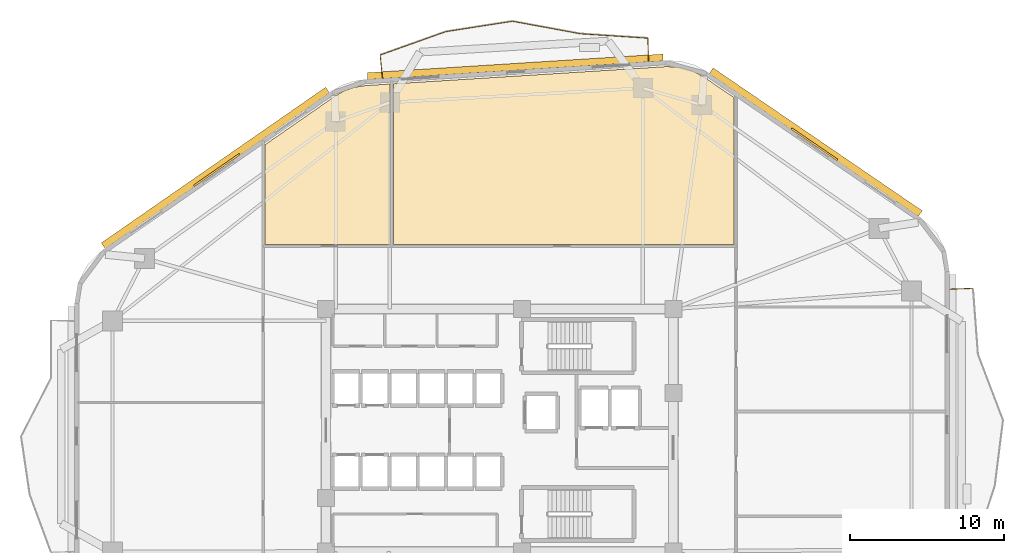
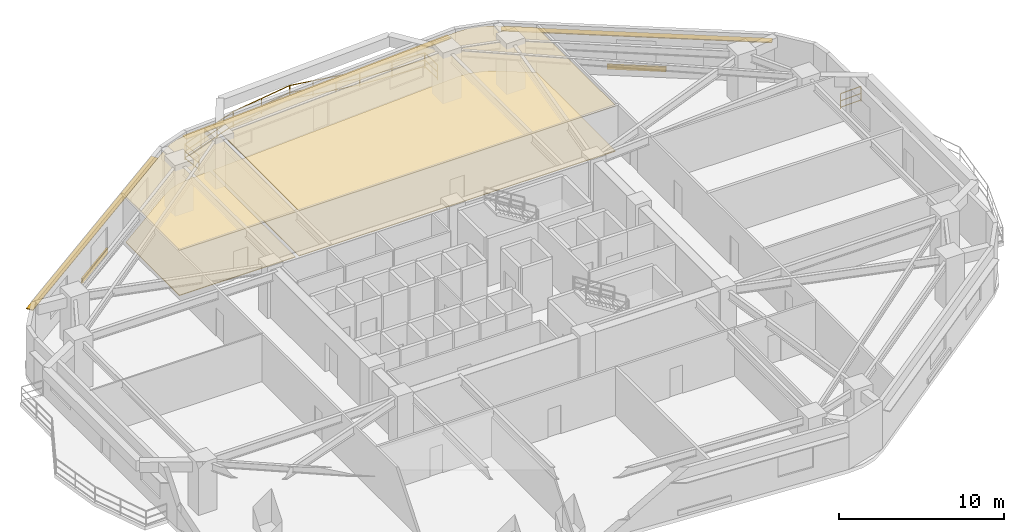
# One storey, part 9 of 9: 7 railings, 5 shading devices, 4 coverings.
"""IFC4 building model written with IfcOpenShell, lengths in metres."""

from ifc_helpers import new_model, si_unit, direction, frame, origin, origin_2d, place, context, subcontext, project, spatial, polyline, rectangle, outline, extrude, material, layer, layer_set, type_object, element, save


model = new_model("IFC4")

# Units and contexts
model_context = context("Model", 3, precision=1e-05, world=origin(), true_north=direction((0.0, 1.0)))
body_context = subcontext(model_context, "Body", "Model", "MODEL_VIEW")
ifc_project = project(units=[si_unit("LENGTHUNIT", "METRE"), si_unit("AREAUNIT", "SQUARE_METRE"), si_unit("VOLUMEUNIT", "CUBIC_METRE"), si_unit("PLANEANGLEUNIT", "RADIAN"), si_unit("MASSUNIT", "GRAM", prefix="KILO")], contexts=[model_context])

# Site, building, storey
site_placement = place(None, origin())
site = spatial("IfcSite", under=ifc_project, at=site_placement, CompositionType="ELEMENT")
building_placement = place(site_placement, origin())
building = spatial("IfcBuilding", under=site, at=building_placement, Name="Zulverin Broadcast Headquarters", CompositionType="ELEMENT")
storey_placement = place(building_placement, frame((0.0, 0.0, 63.0)))
storey = spatial("IfcBuildingStorey", under=building, at=storey_placement, Name="L15", CompositionType="ELEMENT", Elevation=63.0)

# Coverings
ifc_material_1 = material(Name="Perforated pale-metal acoustic baffle ceiling", Category="aluminium")
ifc_layer_1 = layer(ifc_material_1, 0.0400390625, Name="Perforated pale-metal acoustic baffle ceiling", Category="aluminium")
ifc_layer_set_1 = layer_set([ifc_layer_1], Name="Perforated pale-metal acoustic baffle ceiling")
covering_type_1 = type_object("IfcCoveringType", Name="COV-CEIL-ACOU", PredefinedType="CEILING", material=ifc_layer_set_1)
covering_1_placement = place(storey_placement, frame((0.0, 0.0, 3.344970703125)))
element("IfcCovering", 1, at=covering_1_placement, inside=storey, type_object=covering_type_1, Name="L15 Acoustic Baffle Ceiling 01", PredefinedType="CEILING", context=body_context, shape_type="SweptSolid", body=[
    extrude(outline(polyline([(29.8798828125, 37.27197265625), (29.8798828125, 47.676025390625), (28.27587890625, 47.575927734375), (27.575927734375, 47.468017578125), (26.927978515625, 47.243896484375), (26.31591796875, 46.89599609375), (21.77197265625, 43.739990234375), (21.77197265625, 37.27197265625), (29.8798828125, 37.27197265625)])), origin(), (0.0, 0.0, 1.0), 0.0400390625),
])
covering_2_placement = place(storey_placement, frame((0.0, 0.0, 3.344970703125)))
element("IfcCovering", 2, at=covering_2_placement, inside=storey, type_object=covering_type_1, Name="L15 Acoustic Baffle Ceiling 02", PredefinedType="CEILING", context=body_context, shape_type="SweptSolid", body=[
    extrude(outline(polyline([(52.23193359375, 37.27197265625), (52.23193359375, 46.7880859375), (50.248046875, 48.139892578125), (49.491943359375, 48.548095703125), (48.68408203125, 48.76806640625), (47.823974609375, 48.80810546875), (30.1201171875, 47.69189453125), (30.1201171875, 37.27197265625), (52.23193359375, 37.27197265625)])), origin(), (0.0, 0.0, 1.0), 0.0400390625),
])
ifc_material_2 = material(Name="Anti-static broadcast raised access flooring", Category="stone")
ifc_layer_2 = layer(ifc_material_2, 0.050048828125, Name="Anti-static broadcast raised access flooring", Category="stone")
ifc_layer_set_2 = layer_set([ifc_layer_2], Name="Anti-static broadcast raised access flooring")
covering_type_2 = type_object("IfcCoveringType", Name="COV-FLR-RAISED", PredefinedType="FLOORING", material=ifc_layer_set_2)
covering_3_placement = place(storey_placement, origin())
element("IfcCovering", 3, at=covering_3_placement, inside=storey, type_object=covering_type_2, Name="L15 Broadcast Raised Access Flooring 01", PredefinedType="FLOORING", context=body_context, shape_type="SweptSolid", body=[
    extrude(outline(polyline([(29.8798828125, 37.27197265625), (29.8798828125, 47.676025390625), (28.27587890625, 47.575927734375), (27.575927734375, 47.468017578125), (26.927978515625, 47.243896484375), (26.31591796875, 46.89599609375), (21.77197265625, 43.739990234375), (21.77197265625, 37.27197265625), (29.8798828125, 37.27197265625)])), origin(), (0.0, 0.0, 1.0), 0.050048828125),
])
covering_4_placement = place(storey_placement, origin())
element("IfcCovering", 4, at=covering_4_placement, inside=storey, type_object=covering_type_2, Name="L15 Broadcast Raised Access Flooring 02", PredefinedType="FLOORING", context=body_context, shape_type="SweptSolid", body=[
    extrude(outline(polyline([(52.23193359375, 37.27197265625), (52.23193359375, 46.7880859375), (50.248046875, 48.139892578125), (49.491943359375, 48.548095703125), (48.68408203125, 48.76806640625), (47.823974609375, 48.80810546875), (30.1201171875, 47.69189453125), (30.1201171875, 37.27197265625), (52.23193359375, 37.27197265625)])), origin(), (0.0, 0.0, 1.0), 0.050048828125),
])

# Railings
ifc_material_3 = material(Name="Brushed stainless steel & laminated glass balustrade", Category="steel")
railing_type = type_object("IfcRailingType", Name="RL-GUARD-1150", PredefinedType="GUARDRAIL", material=ifc_material_3)
railing_1_placement = place(storey_placement, frame((67.705078125, 34.413818359375, 0.0)))
element("IfcRailing", 5, at=railing_1_placement, inside=storey, type_object=railing_type, Name="L15 Vertical-Forest Balcony Guardrail BAL_E Segment 06", PredefinedType="GUARDRAIL", context=body_context, shape_type="SweptSolid", body=[
    extrude(rectangle(XDim=0.048095703125, YDim=0.048095703125, at=origin_2d()), frame((0.0, 0.0, 1.1259765625), z_axis=(-0.999181155166, -0.040460093435, 0.0), x_axis=(0.040460093435, -0.999181155166, 0.0)), (0.0, 0.0, 1.0), 1.46630859375),
    extrude(rectangle(XDim=0.0419921875, YDim=0.0419921875, at=origin_2d()), frame((0.0, 0.0, 0.597900390625), z_axis=(-0.999181155166, -0.040460093435, 0.0), x_axis=(0.040460093435, -0.999181155166, 0.0)), (0.0, 0.0, 1.0), 1.46630859375),
    extrude(rectangle(XDim=0.0419921875, YDim=0.0419921875, at=origin_2d()), frame((0.0, 0.0, 0.1201171875), z_axis=(-0.999181155166, -0.040460093435, 0.0), x_axis=(0.040460093435, -0.999181155166, 0.0)), (0.0, 0.0, 1.0), 1.46630859375),
    extrude(rectangle(XDim=0.0419921875, YDim=0.0419921875, at=origin_2d()), origin(), (0.0, 0.0, 1.0), 1.101806640625),
    extrude(rectangle(XDim=0.0419921875, YDim=0.0419921875, at=origin_2d()), frame((-1.465087890625, -0.059326171875, 0.0)), (0.0, 0.0, 1.0), 1.101806640625),
])
railing_2_placement = place(storey_placement, frame((46.662841796875, 49.176025390625, 0.0)))
element("IfcRailing", 6, at=railing_2_placement, inside=storey, type_object=railing_type, Name="L15 Vertical-Forest Balcony Guardrail BAL_N Segment 01", PredefinedType="GUARDRAIL", context=body_context, shape_type="SweptSolid", body=[
    extrude(rectangle(XDim=0.048095703125, YDim=0.048095703125, at=origin_2d()), frame((0.0, 0.0, 1.1259765625), z_axis=(-0.022479328211, 0.999747307975, 0.0), x_axis=(-0.999747307975, -0.022479328211, 0.0)), (0.0, 0.0, 1.0), 1.46630859375),
    extrude(rectangle(XDim=0.0419921875, YDim=0.0419921875, at=origin_2d()), frame((0.0, 0.0, 0.597900390625), z_axis=(-0.022479328211, 0.999747307975, 0.0), x_axis=(-0.999747307975, -0.022479328211, 0.0)), (0.0, 0.0, 1.0), 1.46630859375),
    extrude(rectangle(XDim=0.0419921875, YDim=0.0419921875, at=origin_2d()), frame((0.0, 0.0, 0.1201171875), z_axis=(-0.022479328211, 0.999747307975, 0.0), x_axis=(-0.999747307975, -0.022479328211, 0.0)), (0.0, 0.0, 1.0), 1.46630859375),
    extrude(rectangle(XDim=0.0419921875, YDim=0.0419921875, at=origin_2d()), origin(), (0.0, 0.0, 1.0), 1.101806640625),
    extrude(rectangle(XDim=0.0419921875, YDim=0.0419921875, at=origin_2d()), frame((-0.032958984375, 1.4658203125, 0.0)), (0.0, 0.0, 1.0), 1.101806640625),
])
railing_3_placement = place(storey_placement, frame((46.614501953125, 50.657958984375, 0.0)))
element("IfcRailing", 7, at=railing_3_placement, inside=storey, type_object=railing_type, Name="L15 Vertical-Forest Balcony Guardrail BAL_N Segment 02", PredefinedType="GUARDRAIL", context=body_context, shape_type="SweptSolid", body=[
    extrude(rectangle(XDim=0.048095703125, YDim=0.048095703125, at=origin_2d()), frame((0.0, 0.0, 1.1259765625), z_axis=(-0.997884053824, 0.065018575224, 0.0), x_axis=(-0.065018575224, -0.997884053824, 0.0)), (0.0, 0.0, 1.0), 4.36328125),
    extrude(rectangle(XDim=0.0419921875, YDim=0.0419921875, at=origin_2d()), frame((0.0, 0.0, 0.597900390625), z_axis=(-0.997884053824, 0.065018575224, 0.0), x_axis=(-0.065018575224, -0.997884053824, 0.0)), (0.0, 0.0, 1.0), 4.36328125),
    extrude(rectangle(XDim=0.0419921875, YDim=0.0419921875, at=origin_2d()), frame((0.0, 0.0, 0.1201171875), z_axis=(-0.997884053824, 0.065018575224, 0.0), x_axis=(-0.065018575224, -0.997884053824, 0.0)), (0.0, 0.0, 1.0), 4.36328125),
    extrude(rectangle(XDim=0.0419921875, YDim=0.0419921875, at=origin_2d()), origin(), (0.0, 0.0, 1.0), 1.101806640625),
    extrude(rectangle(XDim=0.0419921875, YDim=0.0419921875, at=origin_2d()), frame((-2.177001953125, 0.141845703125, 0.0)), (0.0, 0.0, 1.0), 1.101806640625),
    extrude(rectangle(XDim=0.0419921875, YDim=0.0419921875, at=origin_2d()), frame((-4.35400390625, 0.28369140625, 0.0)), (0.0, 0.0, 1.0), 1.101806640625),
])
railing_4_placement = place(storey_placement, frame((42.230712890625, 50.9453125, 0.0)))
element("IfcRailing", 8, at=railing_4_placement, inside=storey, type_object=railing_type, Name="L15 Vertical-Forest Balcony Guardrail BAL_N Segment 03", PredefinedType="GUARDRAIL", context=body_context, shape_type="SweptSolid", body=[
    extrude(rectangle(XDim=0.048095703125, YDim=0.048095703125, at=origin_2d()), frame((0.0, 0.0, 1.1259765625), z_axis=(-0.983498315352, 0.180917284139, 0.0), x_axis=(-0.180917284139, -0.983498315352, 0.0)), (0.0, 0.0, 1.0), 4.46142578125),
    extrude(rectangle(XDim=0.0419921875, YDim=0.0419921875, at=origin_2d()), frame((0.0, 0.0, 0.597900390625), z_axis=(-0.983498315352, 0.180917284139, 0.0), x_axis=(-0.180917284139, -0.983498315352, 0.0)), (0.0, 0.0, 1.0), 4.46142578125),
    extrude(rectangle(XDim=0.0419921875, YDim=0.0419921875, at=origin_2d()), frame((0.0, 0.0, 0.1201171875), z_axis=(-0.983498315352, 0.180917284139, 0.0), x_axis=(-0.180917284139, -0.983498315352, 0.0)), (0.0, 0.0, 1.0), 4.46142578125),
    extrude(rectangle(XDim=0.0419921875, YDim=0.0419921875, at=origin_2d()), origin(), (0.0, 0.0, 1.0), 1.101806640625),
    extrude(rectangle(XDim=0.0419921875, YDim=0.0419921875, at=origin_2d()), frame((-1.462646484375, 0.26904296875, 0.0)), (0.0, 0.0, 1.0), 1.101806640625),
    extrude(rectangle(XDim=0.0419921875, YDim=0.0419921875, at=origin_2d()), frame((-2.925048828125, 0.5380859375, 0.0)), (0.0, 0.0, 1.0), 1.101806640625),
    extrude(rectangle(XDim=0.0419921875, YDim=0.0419921875, at=origin_2d()), frame((-4.3876953125, 0.80712890625, 0.0)), (0.0, 0.0, 1.0), 1.101806640625),
])
railing_5_placement = place(storey_placement, frame((37.8134765625, 51.7529296875, 0.0)))
element("IfcRailing", 9, at=railing_5_placement, inside=storey, type_object=railing_type, Name="L15 Vertical-Forest Balcony Guardrail BAL_N Segment 04", PredefinedType="GUARDRAIL", context=body_context, shape_type="SweptSolid", body=[
    extrude(rectangle(XDim=0.048095703125, YDim=0.048095703125, at=origin_2d()), frame((0.0, 0.0, 1.1259765625), z_axis=(-0.988057241682, -0.154087271245, 0.0), x_axis=(0.154087271245, -0.988057241682, 0.0)), (0.0, 0.0, 1.0), 4.34619140625),
    extrude(rectangle(XDim=0.0419921875, YDim=0.0419921875, at=origin_2d()), frame((0.0, 0.0, 0.597900390625), z_axis=(-0.988057241682, -0.154087271245, 0.0), x_axis=(0.154087271245, -0.988057241682, 0.0)), (0.0, 0.0, 1.0), 4.34619140625),
    extrude(rectangle(XDim=0.0419921875, YDim=0.0419921875, at=origin_2d()), frame((0.0, 0.0, 0.1201171875), z_axis=(-0.988057241682, -0.154087271245, 0.0), x_axis=(0.154087271245, -0.988057241682, 0.0)), (0.0, 0.0, 1.0), 4.34619140625),
    extrude(rectangle(XDim=0.0419921875, YDim=0.0419921875, at=origin_2d()), origin(), (0.0, 0.0, 1.0), 1.101806640625),
    extrude(rectangle(XDim=0.0419921875, YDim=0.0419921875, at=origin_2d()), frame((-2.14697265625, -0.3349609375, 0.0)), (0.0, 0.0, 1.0), 1.101806640625),
    extrude(rectangle(XDim=0.0419921875, YDim=0.0419921875, at=origin_2d()), frame((-4.294189453125, -0.669677734375, 0.0)), (0.0, 0.0, 1.0), 1.101806640625),
])
railing_6_placement = place(storey_placement, frame((33.490478515625, 51.075927734375, 0.0)))
element("IfcRailing", 10, at=railing_6_placement, inside=storey, type_object=railing_type, Name="L15 Vertical-Forest Balcony Guardrail BAL_N Segment 05", PredefinedType="GUARDRAIL", context=body_context, shape_type="SweptSolid", body=[
    extrude(rectangle(XDim=0.048095703125, YDim=0.048095703125, at=origin_2d()), frame((0.0, 0.0, 1.1259765625), z_axis=(-0.942022481817, -0.335549763451, 0.0), x_axis=(0.335549763451, -0.942022481817, 0.0)), (0.0, 0.0, 1.0), 4.5029296875),
    extrude(rectangle(XDim=0.0419921875, YDim=0.0419921875, at=origin_2d()), frame((0.0, 0.0, 0.597900390625), z_axis=(-0.942022481817, -0.335549763451, 0.0), x_axis=(0.335549763451, -0.942022481817, 0.0)), (0.0, 0.0, 1.0), 4.5029296875),
    extrude(rectangle(XDim=0.0419921875, YDim=0.0419921875, at=origin_2d()), frame((0.0, 0.0, 0.1201171875), z_axis=(-0.942022481817, -0.335549763451, 0.0), x_axis=(0.335549763451, -0.942022481817, 0.0)), (0.0, 0.0, 1.0), 4.5029296875),
    extrude(rectangle(XDim=0.0419921875, YDim=0.0419921875, at=origin_2d()), origin(), (0.0, 0.0, 1.0), 1.101806640625),
    extrude(rectangle(XDim=0.0419921875, YDim=0.0419921875, at=origin_2d()), frame((-1.4140625, -0.503662109375, 0.0)), (0.0, 0.0, 1.0), 1.101806640625),
    extrude(rectangle(XDim=0.0419921875, YDim=0.0419921875, at=origin_2d()), frame((-2.827880859375, -1.00732421875, 0.0)), (0.0, 0.0, 1.0), 1.101806640625),
    extrude(rectangle(XDim=0.0419921875, YDim=0.0419921875, at=origin_2d()), frame((-4.241943359375, -1.510986328125, 0.0)), (0.0, 0.0, 1.0), 1.101806640625),
])
railing_7_placement = place(storey_placement, frame((29.236083984375, 49.545166015625, 0.0)))
element("IfcRailing", 11, at=railing_7_placement, inside=storey, type_object=railing_type, Name="L15 Vertical-Forest Balcony Guardrail BAL_N Segment 06", PredefinedType="GUARDRAIL", context=body_context, shape_type="SweptSolid", body=[
    extrude(rectangle(XDim=0.048095703125, YDim=0.048095703125, at=origin_2d()), frame((0.0, 0.0, 1.1259765625), z_axis=(0.103393334431, -0.994640547331, 0.0), x_axis=(0.994640547331, 0.103393334431, 0.0)), (0.0, 0.0, 1.0), 1.46630859375),
    extrude(rectangle(XDim=0.0419921875, YDim=0.0419921875, at=origin_2d()), frame((0.0, 0.0, 0.597900390625), z_axis=(0.103393334431, -0.994640547331, 0.0), x_axis=(0.994640547331, 0.103393334431, 0.0)), (0.0, 0.0, 1.0), 1.46630859375),
    extrude(rectangle(XDim=0.0419921875, YDim=0.0419921875, at=origin_2d()), frame((0.0, 0.0, 0.1201171875), z_axis=(0.103393334431, -0.994640547331, 0.0), x_axis=(0.994640547331, 0.103393334431, 0.0)), (0.0, 0.0, 1.0), 1.46630859375),
    extrude(rectangle(XDim=0.0419921875, YDim=0.0419921875, at=origin_2d()), origin(), (0.0, 0.0, 1.0), 1.101806640625),
    extrude(rectangle(XDim=0.0419921875, YDim=0.0419921875, at=origin_2d()), frame((0.151611328125, -1.45849609375, 0.0)), (0.0, 0.0, 1.0), 1.101806640625),
])

# Shading devices
ifc_material_4 = material(Name="Anodized pale-metal aluminium acoustic louvre", Category="aluminium")
shading_device_type_1 = type_object("IfcShadingDeviceType", Name="SHD-LOUVRE-350", PredefinedType="USERDEFINED", material=ifc_material_4)
for number, where, z_axis, x_axis, name in (
    (12, (57.435302734375, 43.76708984375, 0.244873046875), (0.0, 0.0, 1.0), (-0.825756855157, 0.564026254851, 0.0), "L15 Spandrel Intake Louvre 4"),
    (13, (18.631103515625, 42.0966796875, 0.244873046875), (0.0, 0.0, 1.0), (-0.821556397865, -0.57012725345, 0.0), "L15 Spandrel Intake Louvre 6"),
):
    element("IfcShadingDevice", number, at=place(storey_placement, frame(where, z_axis=z_axis, x_axis=x_axis)), inside=storey, type_object=shading_device_type_1, Name=name, ObjectType="LOUVRE", PredefinedType="USERDEFINED", context=body_context, shape_type="SweptSolid", body=[
        extrude(rectangle(XDim=3.60009765625, YDim=0.1201171875, at=origin_2d()), origin(), (0.0, 0.0, 1.0), 0.35009765625),
    ])
ifc_material_5 = material(Name="Anodized pale-metal aluminium sunshade", Category="aluminium")
ifc_layer_3 = layer(ifc_material_5, 0.06005859375, Name="Anodized pale-metal aluminium sunshade", Category="aluminium")
ifc_layer_set_3 = layer_set([ifc_layer_3], Name="Anodized pale-metal aluminium sunshade")
shading_device_type_2 = type_object("IfcShadingDeviceType", Name="SS-01_PALE_METAL_ALUMINIUM_SUNSHADE", PredefinedType="USERDEFINED", material=ifc_layer_set_3)
shading_device_1_placement = place(storey_placement, frame((57.525390625, 43.8994140625, 2.7099609375), z_axis=(0.0, 0.0, 1.0), x_axis=(-0.825756855157, 0.564026254851, 0.0)))
element("IfcShadingDevice", 14, at=shading_device_1_placement, inside=storey, type_object=shading_device_type_2, Name="L15 Horizontal Pale-Metal Sunshade Band 4", ObjectType="SUNSHADE", PredefinedType="USERDEFINED", context=body_context, shape_type="SweptSolid", body=[
    extrude(rectangle(XDim=16.4482421875, YDim=0.449951171875, at=origin_2d()), origin(), (0.0, 0.0, 1.0), 0.06005859375),
])
shading_device_2_placement = place(storey_placement, frame((38.01513671875, 48.791015625, 2.7099609375), z_axis=(0.0, 0.0, 1.0), x_axis=(-0.998017621976, -0.062935095345, 0.0)))
element("IfcShadingDevice", 15, at=shading_device_2_placement, inside=storey, type_object=shading_device_type_2, Name="L15 Horizontal Pale-Metal Sunshade Band 5", ObjectType="SUNSHADE", PredefinedType="USERDEFINED", context=body_context, shape_type="SweptSolid", body=[
    extrude(rectangle(XDim=19.2294921875, YDim=0.449951171875, at=origin_2d()), origin(), (0.0, 0.0, 1.0), 0.06005859375),
])
shading_device_3_placement = place(storey_placement, frame((18.539794921875, 42.22802734375, 2.7099609375), z_axis=(0.0, 0.0, 1.0), x_axis=(-0.821556397865, -0.57012725345, 0.0)))
element("IfcShadingDevice", 16, at=shading_device_3_placement, inside=storey, type_object=shading_device_type_2, Name="L15 Horizontal Pale-Metal Sunshade Band 6", ObjectType="SUNSHADE", PredefinedType="USERDEFINED", context=body_context, shape_type="SweptSolid", body=[
    extrude(rectangle(XDim=17.732421875, YDim=0.449951171875, at=origin_2d()), origin(), (0.0, 0.0, 1.0), 0.06005859375),
])

save(model, "model.ifc")
